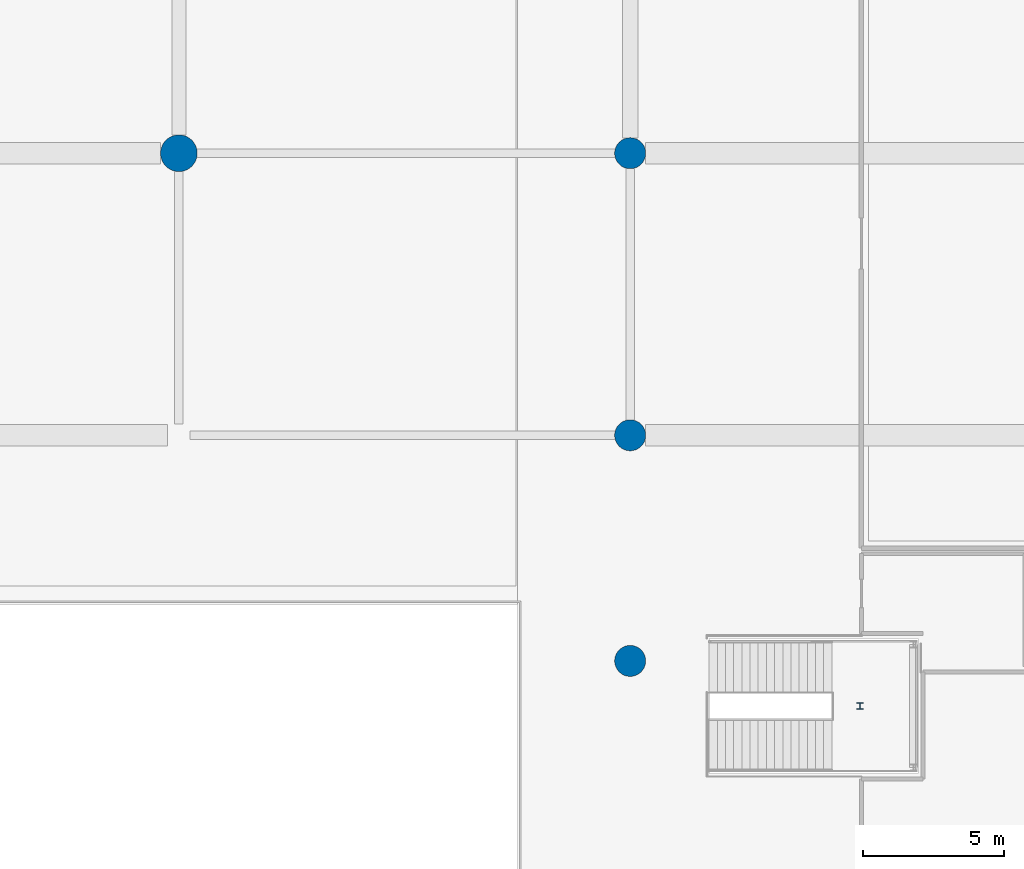
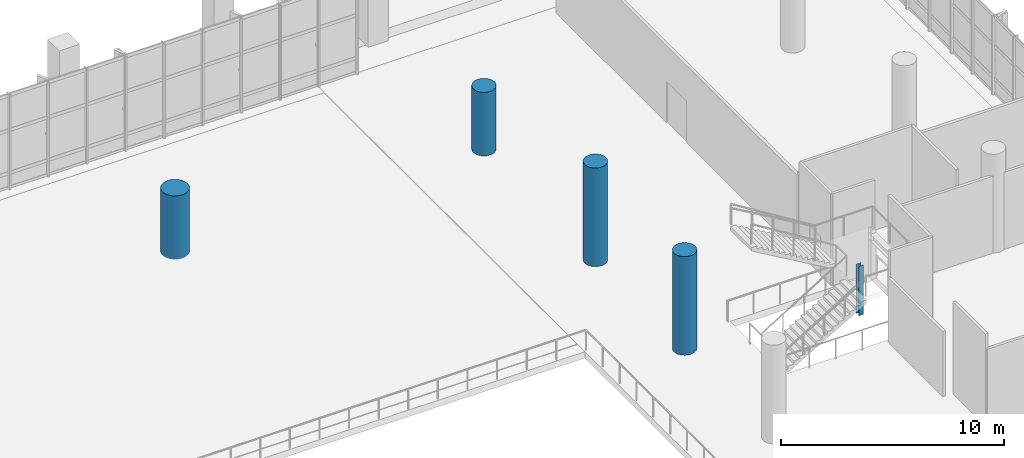
# One storey, part 10 of 176: 5 columns.
"""IFC4 building model written with IfcOpenShell, lengths in metres."""

from ifc_helpers import new_model, si_unit, direction, frame, origin, origin_2d, place, context, subcontext, project, spatial, circle, i_section, extrude, material, material_profile, profile_set, type_object, element, save


model = new_model("IFC4")

# Units and contexts
model_context = context("Model", 3, precision=1e-05, world=origin(), true_north=direction((0.0, 1.0)))
body_context = subcontext(model_context, "Body", "Model", "MODEL_VIEW")
ifc_project = project(units=[si_unit("LENGTHUNIT", "METRE"), si_unit("AREAUNIT", "SQUARE_METRE"), si_unit("VOLUMEUNIT", "CUBIC_METRE"), si_unit("PLANEANGLEUNIT", "RADIAN"), si_unit("MASSUNIT", "GRAM", prefix="KILO")], contexts=[model_context])

# Site, building, storey
site_placement = place(None, origin())
site = spatial("IfcSite", under=ifc_project, at=site_placement, CompositionType="ELEMENT")
building_placement = place(site_placement, origin())
building = spatial("IfcBuilding", under=site, at=building_placement, Name="Khorjan Park Terminus", CompositionType="ELEMENT")
storey_placement = place(building_placement, frame((0.0, 0.0, 6.0)))
storey = spatial("IfcBuildingStorey", under=building, at=storey_placement, Name="L01", CompositionType="ELEMENT", Elevation=6.0)

# Columns
ifc_material_1 = material(Name="Steel S355", Category="steel")
ifc_material_profile_1 = material_profile(ifc_material_1, i_section(OverallWidth=0.24, OverallDepth=0.24, WebThickness=0.01, FlangeThickness=0.017, FilletRadius=0.021, at=origin_2d()), Name="HEB 240")
ifc_profile_set_1 = profile_set([ifc_material_profile_1], Name="Steel S355")
column_type_1 = type_object("IfcColumnType", Name="COL-HB240", PredefinedType="COLUMN", material=ifc_profile_set_1)
column_1_placement = place(storey_placement, frame((120.15, 58.4, 0.0), z_axis=(0.0, 0.0, 1.0), x_axis=(1.0, 0.0, 0.0)))
element("IfcColumn", 1, at=column_1_placement, inside=storey, type_object=column_type_1, Name="Structural column SC-H24 (L01 #1046)", PredefinedType="COLUMN", context=body_context, shape_type="SweptSolid", body=[
    extrude(i_section(OverallWidth=0.24, OverallDepth=0.24, WebThickness=0.01, FlangeThickness=0.017, FilletRadius=0.021, at=origin_2d()), origin(), (0.0, 0.0, 1.0), 2.7),
])
ifc_material_2 = material(Name="Concrete C50/60", Category="concrete")
ifc_material_profile_2 = material_profile(ifc_material_2, circle(Radius=0.55, at=origin_2d()), Name="RC D1100")
ifc_profile_set_2 = profile_set([ifc_material_profile_2], Name="Concrete C50/60")
column_type_2 = type_object("IfcColumnType", Name="COL-RD1100", PredefinedType="COLUMN", material=ifc_profile_set_2)
for number, where, z_axis, x_axis, name in (
    (2, (112.0, 60.0, 0.0), (0.0, 0.0, 1.0), (1.0, 0.0, 0.0), "Structural column C-RD11 (L01 #414)"),
    (3, (112.0, 68.0, 0.0), (0.0, 0.0, 1.0), (1.0, 0.0, 0.0), "Structural column C-RD11 (L01 #417)"),
):
    element("IfcColumn", number, at=place(storey_placement, frame(where, z_axis=z_axis, x_axis=x_axis)), inside=storey, type_object=column_type_2, Name=name, PredefinedType="COLUMN", context=body_context, shape_type="SweptSolid", body=[
        extrude(circle(Radius=0.55, at=origin_2d()), origin(), (0.0, 0.0, 1.0), 5.4),
    ])
column_2_placement = place(storey_placement, frame((112.0, 78.0, 0.0), z_axis=(0.0, 0.0, 1.0), x_axis=(1.0, 0.0, 0.0)))
element("IfcColumn", 4, at=column_2_placement, inside=storey, type_object=column_type_2, Name="Structural column C-RD11 (L01 #420)", PredefinedType="COLUMN", context=body_context, shape_type="SweptSolid", body=[
    extrude(circle(Radius=0.55, at=origin_2d()), origin(), (0.0, 0.0, 1.0), 3.48),
])
ifc_material_profile_3 = material_profile(ifc_material_2, circle(Radius=0.65, at=origin_2d()), Name="RC D1300")
ifc_profile_set_3 = profile_set([ifc_material_profile_3], Name="Concrete C50/60")
column_type_3 = type_object("IfcColumnType", Name="COL-RD1300", PredefinedType="COLUMN", material=ifc_profile_set_3)
column_3_placement = place(storey_placement, frame((96.0, 78.0, 0.0), z_axis=(0.0, 0.0, 1.0), x_axis=(1.0, 0.0, 0.0)))
element("IfcColumn", 5, at=column_3_placement, inside=storey, type_object=column_type_3, Name="Structural column C-RD13 (L01 #376)", PredefinedType="COLUMN", context=body_context, shape_type="SweptSolid", body=[
    extrude(circle(Radius=0.65, at=origin_2d()), origin(), (0.0, 0.0, 1.0), 3.48),
])

save(model, "model.ifc")
